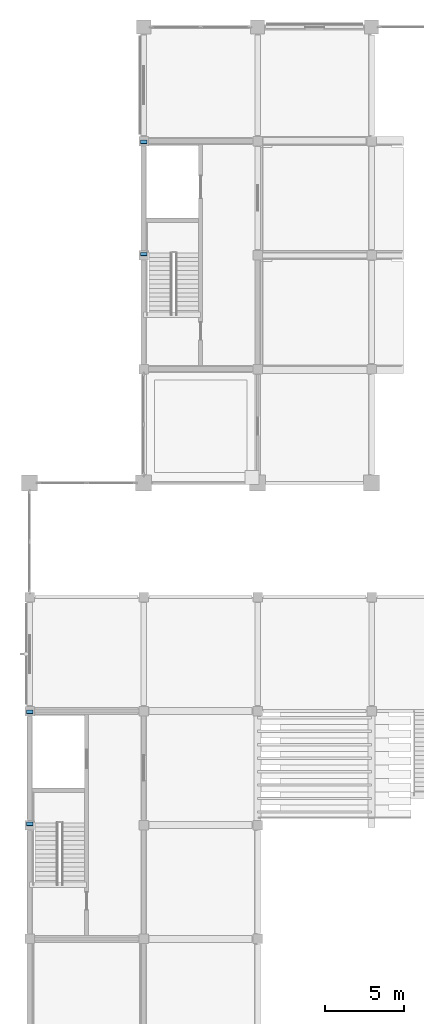
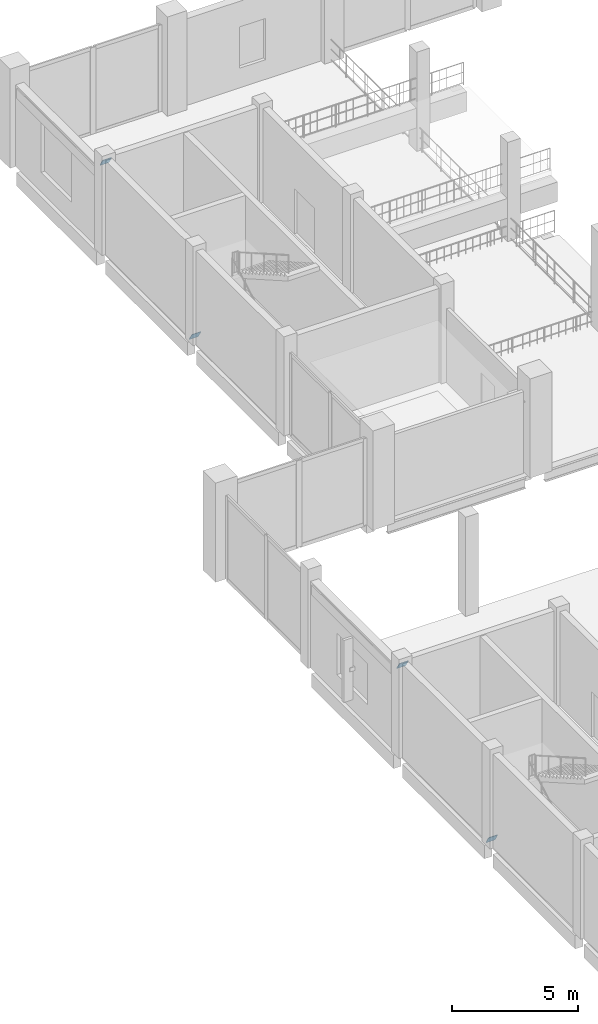
# One storey, part 62 of 99: 4 plates.
"""IFC4 building model written with IfcOpenShell, lengths in metres."""

from ifc_helpers import new_model, si_unit, direction, frame, origin, origin_2d, place, context, subcontext, project, spatial, rectangle, extrude, material, layer, layer_set, type_object, element, save


model = new_model("IFC4")

# Units and contexts
model_context = context("Model", 3, precision=1e-05, world=origin(), true_north=direction((0.0, 1.0)))
body_context = subcontext(model_context, "Body", "Model", "MODEL_VIEW")
ifc_project = project(units=[si_unit("LENGTHUNIT", "METRE"), si_unit("AREAUNIT", "SQUARE_METRE"), si_unit("VOLUMEUNIT", "CUBIC_METRE"), si_unit("PLANEANGLEUNIT", "RADIAN"), si_unit("MASSUNIT", "GRAM", prefix="KILO")], contexts=[model_context])

# Site, building, storey
site_placement = place(None, origin())
site = spatial("IfcSite", under=ifc_project, at=site_placement, CompositionType="ELEMENT")
building_placement = place(site_placement, origin())
building = spatial("IfcBuilding", under=site, at=building_placement, Name="Vesperath Aquatics Centre", CompositionType="ELEMENT")
storey_placement = place(building_placement, frame((0.0, 0.0, 5.39990234375)))
storey = spatial("IfcBuildingStorey", under=building, at=storey_placement, Name="L01", CompositionType="ELEMENT", Elevation=5.39990234375)

# Plates
ifc_material = material(Name="Steel Q355D", Category="steel")
ifc_layer = layer(ifc_material, 0.02392578125)
ifc_layer_set = layer_set([ifc_layer], Name="Steel Q355D")
plate_type = type_object("IfcPlateType", Name="PT-TN04", PredefinedType="SHEET", material=ifc_layer_set)
for number, where, z_axis, x_axis, name in (
    (1, (0.0, 64.848388671875, 0.17822265625), (0.0, 0.863778900717, 0.503871025835), (-1.0, 0.0, 0.0), "Truss Node Cap Plate TN04"),
    (2, (0.0, 71.930908203125, 4.309814453125), (0.0, 0.863778900717, 0.503871025835), (-1.0, 0.0, 0.0), "Truss Node Cap Plate TN04"),
    (3, (7.199951171875, 100.848388671875, 0.17822265625), (0.0, 0.863778900717, 0.503871025835), (-1.0, 0.0, 0.0), "Truss Node Cap Plate TN04"),
    (4, (7.199951171875, 107.930908203125, 4.309814453125), (0.0, 0.863778900717, 0.503871025835), (-1.0, 0.0, 0.0), "Truss Node Cap Plate TN04"),
):
    element("IfcPlate", number, at=place(storey_placement, frame(where, z_axis=z_axis, x_axis=x_axis)), inside=storey, type_object=plate_type, Name=name, PredefinedType="SHEET", context=body_context, shape_type="SweptSolid", body=[
        extrude(rectangle(XDim=0.419921875, YDim=0.419921875, at=origin_2d()), origin(), (0.0, 0.0, 1.0), 0.02392578125),
    ])

save(model, "model.ifc")
